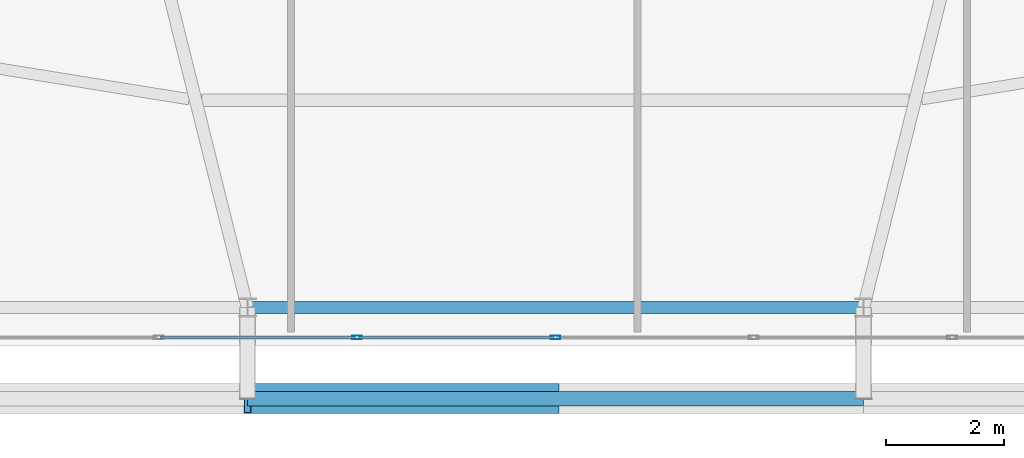
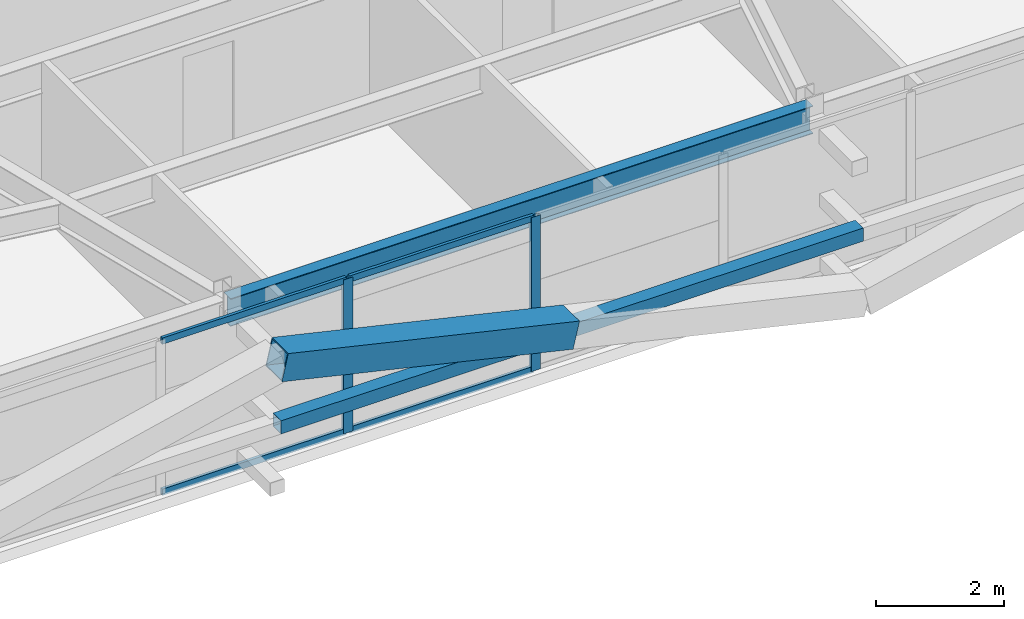
# One storey, part 12 of 58: 8 members, 1 beam, 1 element without a shape of its own.
"""IFC4 building model written with IfcOpenShell, lengths in metres."""

from ifc_helpers import new_model, si_unit, direction, frame, origin, origin_2d, place, context, subcontext, project, spatial, hollow_rectangle, i_section, extrude, source, transform, mapped, material, layer, layer_set, material_profile, profile_set, type_object, element, aggregate, save


model = new_model("IFC4")

# Units and contexts
model_context = context("Model", 3, precision=1e-05, world=origin(), true_north=direction((0.0, 1.0)))
body_context = subcontext(model_context, "Body", "Model", "MODEL_VIEW")
ifc_project = project(units=[si_unit("LENGTHUNIT", "METRE"), si_unit("AREAUNIT", "SQUARE_METRE"), si_unit("VOLUMEUNIT", "CUBIC_METRE"), si_unit("PLANEANGLEUNIT", "RADIAN"), si_unit("MASSUNIT", "GRAM", prefix="KILO")], contexts=[model_context])

# Site, building, storey
site_placement = place(None, origin())
site = spatial("IfcSite", under=ifc_project, at=site_placement, CompositionType="ELEMENT")
building_placement = place(site_placement, origin())
building = spatial("IfcBuilding", under=site, at=building_placement, Name="Taldren Reach Tower", CompositionType="ELEMENT")
storey_placement = place(building_placement, frame((0.0, 0.0, 51.449951171875)))
storey = spatial("IfcBuildingStorey", under=building, at=storey_placement, Name="L15", CompositionType="ELEMENT", Elevation=51.449951171875)

# Beam
ifc_material_1 = material(Name="Steel Gr 350 (350PLUS)", Category="steel")
ifc_material_profile_1 = material_profile(ifc_material_1, i_section(OverallWidth=0.208984375, OverallDepth=0.528076171875, WebThickness=0.009521484375, FlangeThickness=0.01318359375, at=origin_2d()), Name="530UB82.0")
ifc_profile_set_1 = profile_set([ifc_material_profile_1], Name="Steel Gr 350 (350PLUS)")
beam_type = type_object("IfcBeamType", Name="SP-UB530B", PredefinedType="SPANDREL", material=ifc_profile_set_1)
shared_shape_1 = source(origin(), body_context, "Body", "SweptSolid", [
    extrude(i_section(OverallWidth=0.208984375, OverallDepth=0.528076171875, WebThickness=0.009521484375, FlangeThickness=0.01318359375, at=origin_2d()), origin(), (0.0, 0.0, 1.0), 10.47998046875),
])
beam_placement = place(storey_placement, frame((29.760009765625, 2.14990234375, 2.666015625), z_axis=(1.0, 0.0, 0.0), x_axis=(0.0, 1.0, 0.0)))
element("IfcBeam", 1, at=beam_placement, inside=storey, type_object=beam_type, Name="Perimeter spandrel B1 S3-S4 L15", PredefinedType="SPANDREL", context=body_context, shape_type="MappedRepresentation", body=[
    mapped(shared_shape_1, transform((0.0, 0.0, 0.0), scale=1.0)),
])

# Members
ifc_material_2 = material(Name="Steel Gr 450 (C450L0)", Category="steel")
ifc_material_profile_2 = material_profile(ifc_material_2, hollow_rectangle(XDim=0.510009765625, YDim=0.510009765625, WallThickness=0.02001953125, at=origin_2d()), Name="510x510x20.0SHS")
ifc_profile_set_2 = profile_set([ifc_material_profile_2], Name="Steel Gr 450 (C450L0)")
member_type_1 = type_object("IfcMemberType", Name="MB-EXO508", PredefinedType="BRACE", material=ifc_profile_set_2)
shared_shape_2 = source(origin(), body_context, "Body", "SweptSolid", [
    extrude(hollow_rectangle(XDim=0.510009765625, YDim=0.510009765625, WallThickness=0.02001953125, at=origin_2d()), origin(), (0.0, 0.0, 1.0), 5.37890625),
])
member_1_placement = place(storey_placement, frame((35.0, 0.60009765625, 1.43505859375), z_axis=(-0.97415197996, 0.0, 0.225893603143), x_axis=(0.0, -1.0, 0.0)))
element("IfcMember", 2, at=member_1_placement, inside=storey, type_object=member_type_1, Name="Exoskeleton Diagrid Brace B1-S3 L15", PredefinedType="BRACE", context=body_context, shape_type="MappedRepresentation", body=[
    mapped(shared_shape_2, transform((0.0, 0.0, 0.0), scale=1.0)),
])
ifc_material_3 = material(Name="Steel Gr 350 (C350L0)", Category="steel")
ifc_material_profile_3 = material_profile(ifc_material_3, hollow_rectangle(XDim=0.25, YDim=0.25, WallThickness=0.010009765625, at=origin_2d()), Name="250x250x10.0SHS")
ifc_profile_set_3 = profile_set([ifc_material_profile_3], Name="Steel Gr 350 (C350L0)")
member_type_2 = type_object("IfcMemberType", Name="MB-POST250", PredefinedType="POST", material=ifc_profile_set_3)
shared_shape_3 = source(origin(), body_context, "Body", "SweptSolid", [
    extrude(hollow_rectangle(XDim=0.25, YDim=0.25, WallThickness=0.010009765625, at=origin_2d()), origin(), (0.0, 0.0, 1.0), 10.47998046875),
])
member_2_placement = place(storey_placement, frame((29.760009765625, 0.60009765625, 1.43505859375), z_axis=(1.0, 0.0, 0.0), x_axis=(0.0, 1.0, 0.0)))
element("IfcMember", 3, at=member_2_placement, inside=storey, type_object=member_type_2, Name="Exoskeleton mid-height ring chord B1-S3 L15", PredefinedType="POST", context=body_context, shape_type="MappedRepresentation", body=[
    mapped(shared_shape_3, transform((0.0, 0.0, 0.0), scale=1.0)),
])

# Curtain wall, members
ifc_material_4 = material(Name="Aluminium and Low-E Glass Unitised System", Category="aluminium")
ifc_layer = layer(ifc_material_4, 0.159912109375)
ifc_layer_set = layer_set([ifc_layer], Name="Aluminium and Low-E Glass Unitised System")
curtain_wall_type = type_object("IfcCurtainWallType", Name="CW-SYS-2", PredefinedType="NOTDEFINED", material=ifc_layer_set)
curtain_wall_placement = place(storey_placement, origin())
curtain_wall = element("IfcCurtainWall", 4, at=curtain_wall_placement, inside=storey, type_object=curtain_wall_type, Name="Unitised curtain wall CW-L15-S", PredefinedType="NOTDEFINED")
ifc_material_5 = material(Name="Anodised Aluminium 6063-T6", Category="aluminium")
ifc_material_profile_4 = material_profile(ifc_material_5, hollow_rectangle(XDim=0.06494140625, YDim=0.1650390625, WallThickness=0.00390625, at=origin_2d()), Name="ALU-165x65x4RHS")
ifc_profile_set_4 = profile_set([ifc_material_profile_4], Name="Anodised Aluminium 6063-T6")
member_type_3 = type_object("IfcMemberType", Name="CW-MUL-165", PredefinedType="MULLION", material=ifc_profile_set_4)
shared_shape_4 = source(origin(), body_context, "Body", "SweptSolid", [
    extrude(hollow_rectangle(XDim=0.06494140625, YDim=0.1650390625, WallThickness=0.00390625, at=origin_2d()), origin(), (0.0, 0.0, 1.0), 2.929931640625),
])
member_3_placement = place(storey_placement, frame((31.625, 1.639892578125, 0.0), z_axis=(0.0, 0.0, 1.0), x_axis=(0.0, 1.0, 0.0)))
member_3 = element("IfcMember", 5, at=member_3_placement, type_object=member_type_3, Name="CW-2 mullion 8", PredefinedType="MULLION", context=body_context, shape_type="MappedRepresentation", body=[
    mapped(shared_shape_4, transform((0.0, 0.0, 0.0), scale=1.0)),
])
member_4_placement = place(storey_placement, frame((35.0, 1.639892578125, 0.0), z_axis=(0.0, 0.0, 1.0), x_axis=(0.0, 1.0, 0.0)))
member_4 = element("IfcMember", 6, at=member_4_placement, type_object=member_type_3, Name="CW-2 mullion 9", PredefinedType="MULLION", context=body_context, shape_type="MappedRepresentation", body=[
    mapped(shared_shape_4, transform((0.0, 0.0, 0.0), scale=1.0)),
])
ifc_material_profile_5 = material_profile(ifc_material_5, hollow_rectangle(XDim=0.054931640625, YDim=0.1201171875, WallThickness=0.0029296875, at=origin_2d()), Name="ALU-120x55x3RHS")
ifc_profile_set_5 = profile_set([ifc_material_profile_5], Name="Anodised Aluminium 6063-T6")
member_type_4 = type_object("IfcMemberType", Name="CW-TRN-135", PredefinedType="USERDEFINED", material=ifc_profile_set_5)
shared_shape_5 = source(origin(), body_context, "Body", "SweptSolid", [
    extrude(hollow_rectangle(XDim=0.054931640625, YDim=0.1201171875, WallThickness=0.0029296875, at=origin_2d()), origin(), (0.0, 0.0, 1.0), 3.31005859375),
])
member_5_placement = place(storey_placement, frame((28.282470703125, 1.639892578125, 0.027587890625), z_axis=(1.0, 0.0, 0.0), x_axis=(0.0, 1.0, 0.0)))
member_5 = element("IfcMember", 7, at=member_5_placement, type_object=member_type_4, Name="CW-2 transom 7.1", ObjectType="TRANSOM", PredefinedType="USERDEFINED", context=body_context, shape_type="MappedRepresentation", body=[
    mapped(shared_shape_5, transform((0.0, 0.0, 0.0), scale=1.0)),
])
member_6_placement = place(storey_placement, frame((28.282470703125, 1.639892578125, 2.902587890625), z_axis=(1.0, 0.0, 0.0), x_axis=(0.0, 1.0, 0.0)))
member_6 = element("IfcMember", 8, at=member_6_placement, type_object=member_type_4, Name="CW-2 transom 7.2", ObjectType="TRANSOM", PredefinedType="USERDEFINED", context=body_context, shape_type="MappedRepresentation", body=[
    mapped(shared_shape_5, transform((0.0, 0.0, 0.0), scale=1.0)),
])
member_7_placement = place(storey_placement, frame((31.657470703125, 1.639892578125, 0.027587890625), z_axis=(1.0, 0.0, 0.0), x_axis=(0.0, 1.0, 0.0)))
member_7 = element("IfcMember", 9, at=member_7_placement, type_object=member_type_4, Name="CW-2 transom 8.1", ObjectType="TRANSOM", PredefinedType="USERDEFINED", context=body_context, shape_type="MappedRepresentation", body=[
    mapped(shared_shape_5, transform((0.0, 0.0, 0.0), scale=1.0)),
])
member_8_placement = place(storey_placement, frame((31.657470703125, 1.639892578125, 2.902587890625), z_axis=(1.0, 0.0, 0.0), x_axis=(0.0, 1.0, 0.0)))
member_8 = element("IfcMember", 10, at=member_8_placement, type_object=member_type_4, Name="CW-2 transom 8.2", ObjectType="TRANSOM", PredefinedType="USERDEFINED", context=body_context, shape_type="MappedRepresentation", body=[
    mapped(shared_shape_5, transform((0.0, 0.0, 0.0), scale=1.0)),
])
aggregate(curtain_wall, [member_3, member_4, member_5, member_6, member_7, member_8])

save(model, "model.ifc")
